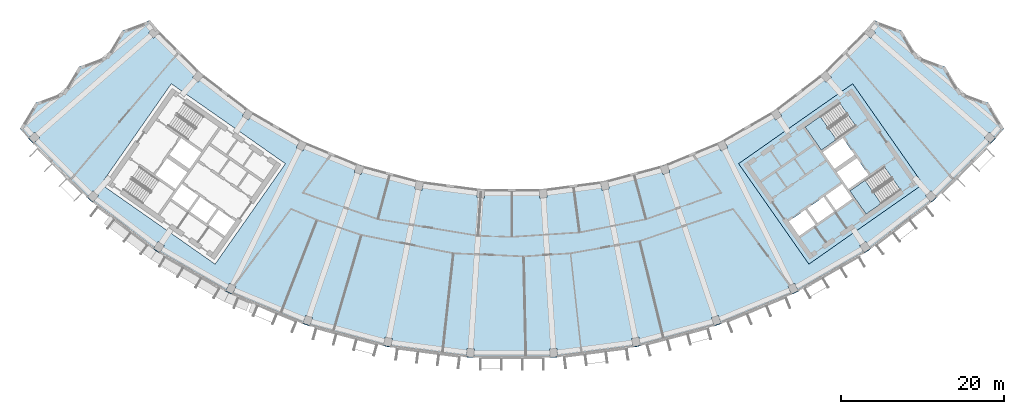
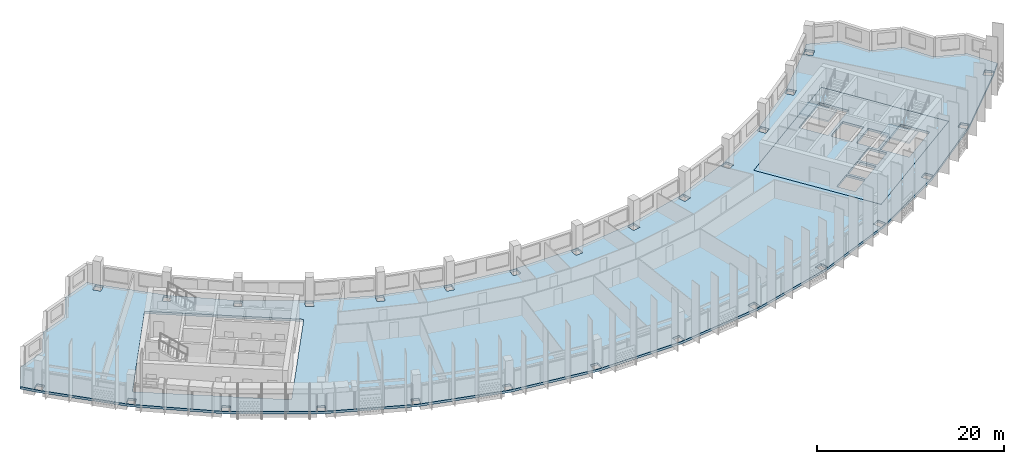
# One storey, part 2 of 28: 4 slabs, 2 elements without a shape of their own.
"""IFC4 building model written with IfcOpenShell, lengths in metres."""

from ifc_helpers import new_model, si_unit, direction, frame, origin, place, context, subcontext, project, spatial, polyline, outline, extrude, material, layer, layer_set, type_object, element, aggregate, save


model = new_model("IFC4")

# Units and contexts
model_context = context("Model", 3, precision=1e-05, world=origin(), true_north=direction((0.0, 1.0)))
body_context = subcontext(model_context, "Body", "Model", "MODEL_VIEW")
ifc_project = project(units=[si_unit("LENGTHUNIT", "METRE"), si_unit("AREAUNIT", "SQUARE_METRE"), si_unit("VOLUMEUNIT", "CUBIC_METRE"), si_unit("PLANEANGLEUNIT", "RADIAN"), si_unit("MASSUNIT", "GRAM", prefix="KILO")], contexts=[model_context])

# Site, building, storey
site_placement = place(None, origin())
site = spatial("IfcSite", under=ifc_project, at=site_placement, CompositionType="ELEMENT")
building_placement = place(site_placement, origin())
building = spatial("IfcBuilding", under=site, at=building_placement, Name="Qamariyya Broadcast Tower", CompositionType="ELEMENT")
storey_placement = place(building_placement, frame((0.0, 0.0, 265.699951171875)))
storey = spatial("IfcBuildingStorey", under=building, at=storey_placement, Name="L64", CompositionType="ELEMENT", Elevation=265.699951171875)

# Slabs
ifc_material_1 = material(Name="Concrete C40/50", Category="concrete")
ifc_layer_1 = layer(ifc_material_1, 0.300048828125)
ifc_layer_set_1 = layer_set([ifc_layer_1], Name="Core floor slab 300 mm Concrete C40/50")
slab_type_1 = type_object("IfcSlabType", Name="Core floor slab 300 mm Concrete C40/50", PredefinedType="FLOOR", material=ifc_layer_set_1)
slab_1_placement = place(storey_placement, frame((0.0, 0.0, -0.300048828125)))
element("IfcSlab", 1, at=slab_1_placement, inside=storey, type_object=slab_type_1, Name="k-E-L64-slab", PredefinedType="FLOOR", context=body_context, shape_type="SweptSolid", body=[
    extrude(outline(polyline([(36.32373046875, -66.734375), (50.286376953125, -56.95751953125), (41.6826171875, -44.67041015625), (27.719970703125, -54.447021484375), (36.32373046875, -66.734375)]), holes=[polyline([(33.87353515625, -61.49169921875), (35.88037109375, -60.08642578125), (37.142333984375, -61.888427734375), (35.13525390625, -63.293701171875), (33.87353515625, -61.49169921875)]), polyline([(36.126220703125, -59.914306640625), (38.133056640625, -58.509033203125), (39.394775390625, -60.311279296875), (37.387939453125, -61.716552734375), (36.126220703125, -59.914306640625)]), polyline([(38.378662109375, -58.3369140625), (40.3857421875, -56.931640625), (41.6474609375, -58.73388671875), (39.640625, -60.13916015625), (38.378662109375, -58.3369140625)]), polyline([(39.742431640625, -55.489990234375), (42.199951171875, -53.769287109375), (43.6337890625, -55.817138671875), (41.17626953125, -57.537841796875), (39.742431640625, -55.489990234375)]), polyline([(39.45556640625, -55.080322265625), (41.9130859375, -53.359619140625), (40.47900390625, -51.311767578125), (38.021728515625, -53.032470703125), (39.45556640625, -55.080322265625)]), polyline([(40.082275390625, -47.01171875), (35.870849609375, -49.960693359375), (37.849609375, -52.78662109375), (42.06103515625, -49.837890625), (40.082275390625, -47.01171875)]), polyline([(45.559814453125, -54.834716796875), (41.348388671875, -57.783447265625), (43.3271484375, -60.609619140625), (47.538818359375, -57.66064453125), (45.559814453125, -54.834716796875)])]), origin(), (0.0, 0.0, 1.0), 0.300048828125),
])
ifc_layer_2 = layer(ifc_material_1, 0.300048828125)
ifc_layer_set_2 = layer_set([ifc_layer_2], Name="Post-tensioned floor slab 300 C40/50")
slab_type_2 = type_object("IfcSlabType", Name="Post-tensioned floor slab 300 C40/50", PredefinedType="FLOOR", material=ifc_layer_set_2)
slab_2_placement = place(storey_placement, frame((0.0, 0.0, -0.300048828125)))
element("IfcSlab", 2, at=slab_2_placement, inside=storey, type_object=slab_type_2, Name="Floor slab S4 L64", PredefinedType="FLOOR", context=body_context, shape_type="SweptSolid", body=[
    extrude(outline(polyline([(-58.307373046875, -47.013427734375), (-60.197509765625, -50.149658203125), (-58.90673828125, -51.65966796875), (-51.65966796875, -58.90673828125), (-43.52880859375, -65.145751953125), (-34.6533203125, -70.27001953125), (-25.184814453125, -74.19189453125), (-15.285400390625, -76.844482421875), (-5.124267578125, -78.18212890625), (5.124267578125, -78.18212890625), (15.285400390625, -76.844482421875), (25.184814453125, -74.19189453125), (34.6533203125, -70.27001953125), (43.52880859375, -65.145751953125), (51.65966796875, -58.90673828125), (58.90673828125, -51.65966796875), (60.197509765625, -50.149658203125), (58.307373046875, -47.013427734375), (54.89599609375, -45.733154296875), (53.00537109375, -42.59619140625), (49.5947265625, -41.316650390625), (47.702880859375, -38.178955078125), (44.293212890625, -36.900146484375), (43.343505859375, -38.01123046875), (38.01123046875, -43.343505859375), (32.028564453125, -47.934326171875), (25.498046875, -51.704833984375), (18.531005859375, -54.590576171875), (11.2470703125, -56.542236328125), (3.7705078125, -57.526611328125), (-3.7705078125, -57.526611328125), (-11.2470703125, -56.542236328125), (-18.531005859375, -54.590576171875), (-25.498046875, -51.704833984375), (-32.028564453125, -47.934326171875), (-38.01123046875, -43.343505859375), (-43.343505859375, -38.01123046875), (-44.293212890625, -36.900146484375), (-47.702880859375, -38.178955078125), (-49.5947265625, -41.316650390625), (-53.00537109375, -42.59619140625), (-54.89599609375, -45.733154296875), (-58.307373046875, -47.013427734375)]), holes=[polyline([(-4.668701171875, -78.11181640625), (-5.56689453125, -78.052978515625), (-5.50146484375, -77.05517578125), (-4.603271484375, -77.114013671875), (-4.668701171875, -78.11181640625)]), polyline([(-15.707275390625, -76.65869140625), (-15.511962890625, -75.677978515625), (-14.62939453125, -75.853515625), (-14.824462890625, -76.834228515625), (-15.707275390625, -76.65869140625)]), polyline([(-25.578857421875, -73.95263671875), (-25.25732421875, -73.005615234375), (-24.405029296875, -73.294921875), (-24.7265625, -74.241943359375), (-25.578857421875, -73.95263671875)]), polyline([(-35.0126953125, -69.981201171875), (-34.5703125, -69.08447265625), (-33.76318359375, -69.482421875), (-34.20556640625, -70.37939453125), (-35.0126953125, -69.981201171875)]), polyline([(-43.847412109375, -64.8125), (-43.2919921875, -63.98095703125), (-42.543701171875, -64.48095703125), (-43.09912109375, -65.3125), (-43.847412109375, -64.8125)]), polyline([(-51.93212890625, -58.53466796875), (-51.272705078125, -57.782958984375), (-50.59619140625, -58.376220703125), (-51.25537109375, -59.128173828125), (-51.93212890625, -58.53466796875)]), polyline([(-4.29150390625, -58.5947265625), (-4.22607421875, -57.596923828125), (-3.327880859375, -57.65576171875), (-3.393310546875, -58.653564453125), (-4.29150390625, -58.5947265625)]), polyline([(-11.90283203125, -57.533447265625), (-11.707763671875, -56.552490234375), (-10.8251953125, -56.72802734375), (-11.020263671875, -57.708984375), (-11.90283203125, -57.533447265625)]), polyline([(-50.286376953125, -56.95751953125), (-41.6826171875, -44.67041015625), (-27.719970703125, -54.447021484375), (-36.32373046875, -66.734375), (-50.286376953125, -56.95751953125)]), polyline([(-19.310791015625, -55.487548828125), (-18.9892578125, -54.54052734375), (-18.136962890625, -54.829833984375), (-18.45849609375, -55.77685546875), (-19.310791015625, -55.487548828125)]), polyline([(-26.387939453125, -52.4921875), (-25.94580078125, -51.595458984375), (-25.138671875, -51.993408203125), (-25.580810546875, -52.890380859375), (-26.387939453125, -52.4921875)]), polyline([(-59.128173828125, -51.25537109375), (-58.376220703125, -50.59619140625), (-57.782958984375, -51.272705078125), (-58.53466796875, -51.93212890625), (-59.128173828125, -51.25537109375)]), polyline([(-33.013916015625, -48.598876953125), (-32.458251953125, -47.767333984375), (-31.7099609375, -48.267333984375), (-32.265625, -49.098876953125), (-33.013916015625, -48.598876953125)]), polyline([(-39.074951171875, -43.873779296875), (-38.41552734375, -43.1220703125), (-37.739013671875, -43.71533203125), (-38.398193359375, -44.46728515625), (-39.074951171875, -43.873779296875)]), polyline([(-44.46728515625, -38.398193359375), (-43.71533203125, -37.739013671875), (-43.1220703125, -38.41552734375), (-43.873779296875, -39.074951171875), (-44.46728515625, -38.398193359375)]), polyline([(5.56689453125, -78.052978515625), (4.668701171875, -78.11181640625), (4.603271484375, -77.114013671875), (5.50146484375, -77.05517578125), (5.56689453125, -78.052978515625)]), polyline([(14.824462890625, -76.834228515625), (14.62939453125, -75.853515625), (15.511962890625, -75.677978515625), (15.707275390625, -76.65869140625), (14.824462890625, -76.834228515625)]), polyline([(24.7265625, -74.241943359375), (24.405029296875, -73.294921875), (25.25732421875, -73.005615234375), (25.578857421875, -73.95263671875), (24.7265625, -74.241943359375)]), polyline([(34.20556640625, -70.37939453125), (33.76318359375, -69.482421875), (34.5703125, -69.08447265625), (35.0126953125, -69.981201171875), (34.20556640625, -70.37939453125)]), polyline([(43.09912109375, -65.3125), (42.543701171875, -64.48095703125), (43.2919921875, -63.98095703125), (43.847412109375, -64.8125), (43.09912109375, -65.3125)]), polyline([(51.25537109375, -59.128173828125), (50.59619140625, -58.376220703125), (51.272705078125, -57.782958984375), (51.93212890625, -58.53466796875), (51.25537109375, -59.128173828125)]), polyline([(3.393310546875, -58.653564453125), (3.327880859375, -57.65576171875), (4.22607421875, -57.596923828125), (4.29150390625, -58.5947265625), (3.393310546875, -58.653564453125)]), polyline([(11.020263671875, -57.708984375), (10.8251953125, -56.72802734375), (11.707763671875, -56.552490234375), (11.90283203125, -57.533447265625), (11.020263671875, -57.708984375)]), polyline([(36.32373046875, -66.734375), (27.719970703125, -54.447021484375), (41.6826171875, -44.67041015625), (50.286376953125, -56.95751953125), (36.32373046875, -66.734375)]), polyline([(18.45849609375, -55.77685546875), (18.136962890625, -54.829833984375), (18.9892578125, -54.54052734375), (19.310791015625, -55.487548828125), (18.45849609375, -55.77685546875)]), polyline([(25.580810546875, -52.890380859375), (25.138671875, -51.993408203125), (25.94580078125, -51.595458984375), (26.387939453125, -52.4921875), (25.580810546875, -52.890380859375)]), polyline([(58.53466796875, -51.93212890625), (57.782958984375, -51.272705078125), (58.376220703125, -50.59619140625), (59.128173828125, -51.25537109375), (58.53466796875, -51.93212890625)]), polyline([(32.265625, -49.098876953125), (31.7099609375, -48.267333984375), (32.458251953125, -47.767333984375), (33.013916015625, -48.598876953125), (32.265625, -49.098876953125)]), polyline([(38.398193359375, -44.46728515625), (37.739013671875, -43.71533203125), (38.41552734375, -43.1220703125), (39.074951171875, -43.873779296875), (38.398193359375, -44.46728515625)]), polyline([(43.873779296875, -39.074951171875), (43.1220703125, -38.41552734375), (43.71533203125, -37.739013671875), (44.46728515625, -38.398193359375), (43.873779296875, -39.074951171875)])]), origin(), (0.0, 0.0, 1.0), 0.300048828125),
])

# Stair, slab
ifc_material_2 = material(Name="Concrete C50/60", Category="concrete")
stair_type = type_object("IfcStairType", Name="Exit stair 22 risers of 173 mm", PredefinedType="HALF_TURN_STAIR", material=ifc_material_2)
stair_1_placement = place(storey_placement, origin())
stair_1 = element("IfcStair", 3, at=stair_1_placement, inside=storey, type_object=stair_type, Name="L64 Stair E2", PredefinedType="HALF_TURN_STAIR")
ifc_layer_3 = layer(ifc_material_2, 0.199951171875)
ifc_layer_set_3 = layer_set([ifc_layer_3], Name="Stair landing")
slab_type_3 = type_object("IfcSlabType", Name="Stair landing", PredefinedType="LANDING", material=ifc_layer_set_3)
slab_3_placement = place(storey_placement, frame((0.0, 0.0, 1.699951171875)))
slab_3 = element("IfcSlab", 4, at=slab_3_placement, type_object=slab_type_3, Name="ST-E2 landing 1", PredefinedType="LANDING", context=body_context, shape_type="SweptSolid", body=[
    extrude(outline(polyline([(37.71337890625, -48.67041015625), (35.870849609375, -49.960693359375), (37.849609375, -52.78662109375), (39.692138671875, -51.49658203125), (37.71337890625, -48.67041015625)])), origin(), (0.0, 0.0, 1.0), 0.2001953125),
])
aggregate(stair_1, [slab_3])

stair_2_placement = place(storey_placement, origin())
stair_2 = element("IfcStair", 5, at=stair_2_placement, inside=storey, type_object=stair_type, Name="L64 Stair E1", PredefinedType="HALF_TURN_STAIR")
slab_4_placement = place(storey_placement, frame((0.0, 0.0, 1.699951171875)))
slab_4 = element("IfcSlab", 6, at=slab_4_placement, type_object=slab_type_3, Name="ST-E1 landing 1", PredefinedType="LANDING", context=body_context, shape_type="SweptSolid", body=[
    extrude(outline(polyline([(43.19091796875, -56.493408203125), (41.348388671875, -57.783447265625), (43.3271484375, -60.609619140625), (45.169677734375, -59.319580078125), (43.19091796875, -56.493408203125)])), origin(), (0.0, 0.0, 1.0), 0.2001953125),
])
aggregate(stair_2, [slab_4])

save(model, "model.ifc")
